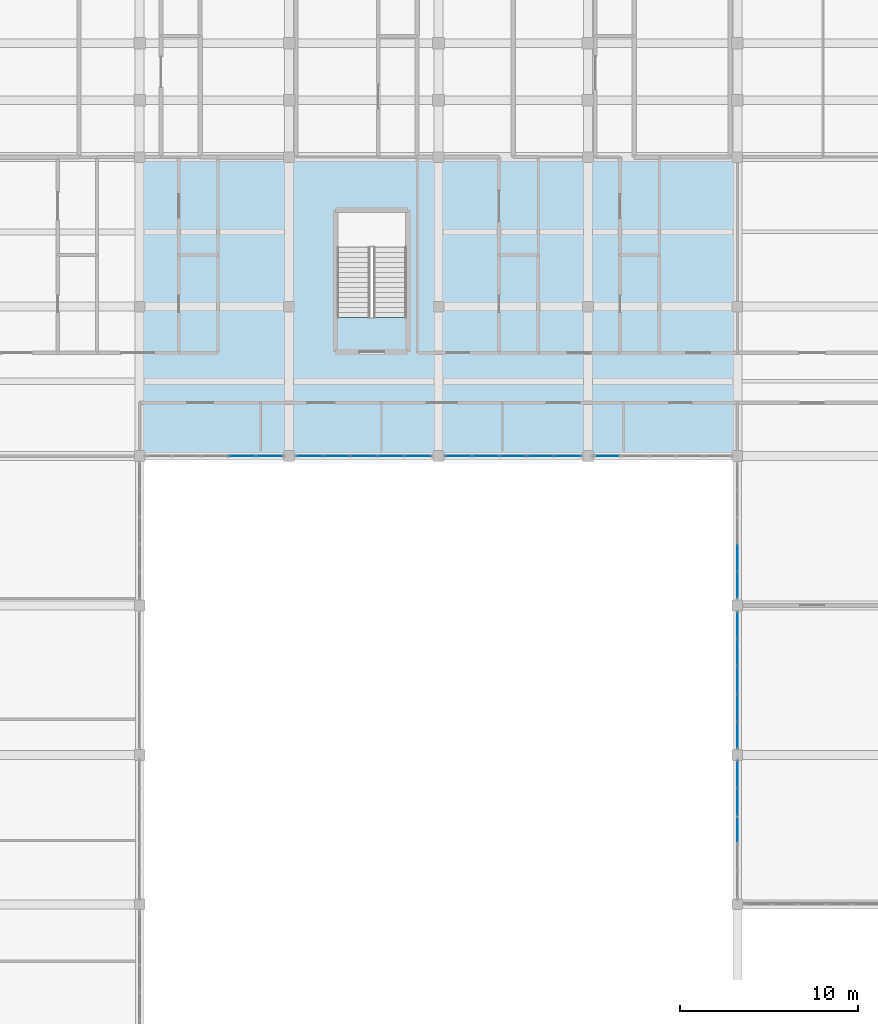
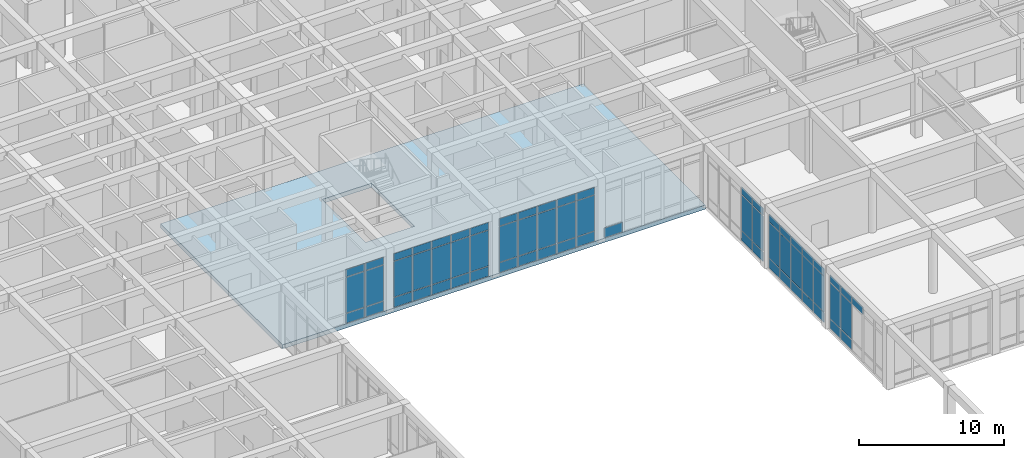
# One storey, part 43 of 89: 65 plates, 1 slab, 7 elements without a shape of their own.
"""IFC4 building model written with IfcOpenShell, lengths in metres."""

from ifc_helpers import new_model, si_unit, direction, frame, origin, origin_2d, place, context, subcontext, project, spatial, polyline, rectangle, outline, extrude, material, layer, layer_set, type_object, element, aggregate, save


model = new_model("IFC4")

# Units and contexts
model_context = context("Model", 3, precision=1e-05, world=origin(), true_north=direction((0.0, 1.0)))
body_context = subcontext(model_context, "Body", "Model", "MODEL_VIEW")
ifc_project = project(units=[si_unit("LENGTHUNIT", "METRE"), si_unit("AREAUNIT", "SQUARE_METRE"), si_unit("VOLUMEUNIT", "CUBIC_METRE"), si_unit("PLANEANGLEUNIT", "RADIAN"), si_unit("MASSUNIT", "GRAM", prefix="KILO")], contexts=[model_context])

# Site, building, storey
site_placement = place(None, origin())
site = spatial("IfcSite", under=ifc_project, at=site_placement, CompositionType="ELEMENT")
building_placement = place(site_placement, origin())
building = spatial("IfcBuilding", under=site, at=building_placement, Name="Varncliffe General Hospital", CompositionType="ELEMENT")
storey_placement = place(building_placement, frame((0.0, 0.0, 10.800048828125)))
storey = spatial("IfcBuildingStorey", under=building, at=storey_placement, Name="L02", CompositionType="ELEMENT", Elevation=10.800048828125)

# Curtain wall, plates
ifc_material_1 = material(Name="Triple low-E argon insulated vision glazing", Category="glass")
curtain_wall_type_1 = type_object("IfcCurtainWallType", Name="Unitised Glazed Curtain Wall CW70 (7724x4640)", PredefinedType="USERDEFINED", material=ifc_material_1)
curtain_wall_1_placement = place(storey_placement, origin())
curtain_wall_1 = element("IfcCurtainWall", 1, at=curtain_wall_1_placement, inside=storey, type_object=curtain_wall_type_1, Name="L02 Glazed Curtain Wall CW70-142", ObjectType="GLAZED CURTAIN WALL", PredefinedType="USERDEFINED")
ifc_layer_1 = layer(ifc_material_1, 0.0439453125)
ifc_layer_set_1 = layer_set([ifc_layer_1], Name="Triple low-E argon insulated vision glazing")
plate_type_1 = type_object("IfcPlateType", Name="Curtain Wall Glazing Panel CP12 (44mm)", PredefinedType="CURTAIN_PANEL", material=ifc_layer_set_1)
plate_1_placement = place(storey_placement, frame((58.800048828125, 67.129150390625, 0.059814453125), z_axis=(0.0, 0.0, 1.0), x_axis=(0.0, 1.0, 0.0)))
plate_1 = element("IfcPlate", 2, at=plate_1_placement, type_object=plate_type_1, Name="CW70 panel 1.1", PredefinedType="CURTAIN_PANEL", context=body_context, shape_type="SweptSolid", body=[
    extrude(rectangle(XDim=1.432373046875, YDim=0.0439453125, at=origin_2d()), origin(), (0.0, 0.0, 1.0), 0.81005859375),
])
plate_2_placement = place(storey_placement, frame((58.800048828125, 67.129150390625, 0.929931640625), z_axis=(0.0, 0.0, 1.0), x_axis=(0.0, 1.0, 0.0)))
plate_2 = element("IfcPlate", 3, at=plate_2_placement, type_object=plate_type_1, Name="CW70 panel 1.2", PredefinedType="CURTAIN_PANEL", context=body_context, shape_type="SweptSolid", body=[
    extrude(rectangle(XDim=1.432373046875, YDim=0.0439453125, at=origin_2d()), origin(), (0.0, 0.0, 1.0), 2.97998046875),
])
plate_3_placement = place(storey_placement, frame((58.800048828125, 67.129150390625, 3.9697265625), z_axis=(0.0, 0.0, 1.0), x_axis=(0.0, 1.0, 0.0)))
plate_3 = element("IfcPlate", 4, at=plate_3_placement, type_object=plate_type_1, Name="CW70 panel 1.3", PredefinedType="CURTAIN_PANEL", context=body_context, shape_type="SweptSolid", body=[
    extrude(rectangle(XDim=1.432373046875, YDim=0.0439453125, at=origin_2d()), origin(), (0.0, 0.0, 1.0), 0.610107421875),
])
plate_4_placement = place(storey_placement, frame((58.800048828125, 68.6552734375, 0.059814453125), z_axis=(0.0, 0.0, 1.0), x_axis=(0.0, 1.0, 0.0)))
plate_4 = element("IfcPlate", 5, at=plate_4_placement, type_object=plate_type_1, Name="CW70 panel 2.1", PredefinedType="CURTAIN_PANEL", context=body_context, shape_type="SweptSolid", body=[
    extrude(rectangle(XDim=1.4697265625, YDim=0.0439453125, at=origin_2d()), origin(), (0.0, 0.0, 1.0), 0.81005859375),
])
plate_5_placement = place(storey_placement, frame((58.800048828125, 68.6552734375, 0.929931640625), z_axis=(0.0, 0.0, 1.0), x_axis=(0.0, 1.0, 0.0)))
plate_5 = element("IfcPlate", 6, at=plate_5_placement, type_object=plate_type_1, Name="CW70 panel 2.2", PredefinedType="CURTAIN_PANEL", context=body_context, shape_type="SweptSolid", body=[
    extrude(rectangle(XDim=1.4697265625, YDim=0.0439453125, at=origin_2d()), origin(), (0.0, 0.0, 1.0), 2.97998046875),
])
plate_6_placement = place(storey_placement, frame((58.800048828125, 68.6552734375, 3.9697265625), z_axis=(0.0, 0.0, 1.0), x_axis=(0.0, 1.0, 0.0)))
plate_6 = element("IfcPlate", 7, at=plate_6_placement, type_object=plate_type_1, Name="CW70 panel 2.3", PredefinedType="CURTAIN_PANEL", context=body_context, shape_type="SweptSolid", body=[
    extrude(rectangle(XDim=1.4697265625, YDim=0.0439453125, at=origin_2d()), origin(), (0.0, 0.0, 1.0), 0.610107421875),
])
plate_7_placement = place(storey_placement, frame((58.800048828125, 70.199951171875, 0.059814453125), z_axis=(0.0, 0.0, 1.0), x_axis=(0.0, 1.0, 0.0)))
plate_7 = element("IfcPlate", 8, at=plate_7_placement, type_object=plate_type_1, Name="CW70 panel 3.1", PredefinedType="CURTAIN_PANEL", context=body_context, shape_type="SweptSolid", body=[
    extrude(rectangle(XDim=1.4697265625, YDim=0.0439453125, at=origin_2d()), origin(), (0.0, 0.0, 1.0), 0.81005859375),
])
plate_8_placement = place(storey_placement, frame((58.800048828125, 70.199951171875, 0.929931640625), z_axis=(0.0, 0.0, 1.0), x_axis=(0.0, 1.0, 0.0)))
plate_8 = element("IfcPlate", 9, at=plate_8_placement, type_object=plate_type_1, Name="CW70 panel 3.2", PredefinedType="CURTAIN_PANEL", context=body_context, shape_type="SweptSolid", body=[
    extrude(rectangle(XDim=1.4697265625, YDim=0.0439453125, at=origin_2d()), origin(), (0.0, 0.0, 1.0), 2.97998046875),
])
plate_9_placement = place(storey_placement, frame((58.800048828125, 70.199951171875, 3.9697265625), z_axis=(0.0, 0.0, 1.0), x_axis=(0.0, 1.0, 0.0)))
plate_9 = element("IfcPlate", 10, at=plate_9_placement, type_object=plate_type_1, Name="CW70 panel 3.3", PredefinedType="CURTAIN_PANEL", context=body_context, shape_type="SweptSolid", body=[
    extrude(rectangle(XDim=1.4697265625, YDim=0.0439453125, at=origin_2d()), origin(), (0.0, 0.0, 1.0), 0.610107421875),
])
plate_10_placement = place(storey_placement, frame((58.800048828125, 71.744873046875, 0.059814453125), z_axis=(0.0, 0.0, 1.0), x_axis=(0.0, 1.0, 0.0)))
plate_10 = element("IfcPlate", 11, at=plate_10_placement, type_object=plate_type_1, Name="CW70 panel 4.1", PredefinedType="CURTAIN_PANEL", context=body_context, shape_type="SweptSolid", body=[
    extrude(rectangle(XDim=1.4697265625, YDim=0.0439453125, at=origin_2d()), origin(), (0.0, 0.0, 1.0), 0.81005859375),
])
plate_11_placement = place(storey_placement, frame((58.800048828125, 71.744873046875, 0.929931640625), z_axis=(0.0, 0.0, 1.0), x_axis=(0.0, 1.0, 0.0)))
plate_11 = element("IfcPlate", 12, at=plate_11_placement, type_object=plate_type_1, Name="CW70 panel 4.2", PredefinedType="CURTAIN_PANEL", context=body_context, shape_type="SweptSolid", body=[
    extrude(rectangle(XDim=1.4697265625, YDim=0.0439453125, at=origin_2d()), origin(), (0.0, 0.0, 1.0), 2.97998046875),
])
plate_12_placement = place(storey_placement, frame((58.800048828125, 71.744873046875, 3.9697265625), z_axis=(0.0, 0.0, 1.0), x_axis=(0.0, 1.0, 0.0)))
plate_12 = element("IfcPlate", 13, at=plate_12_placement, type_object=plate_type_1, Name="CW70 panel 4.3", PredefinedType="CURTAIN_PANEL", context=body_context, shape_type="SweptSolid", body=[
    extrude(rectangle(XDim=1.4697265625, YDim=0.0439453125, at=origin_2d()), origin(), (0.0, 0.0, 1.0), 0.610107421875),
])
plate_13_placement = place(storey_placement, frame((58.800048828125, 73.270751953125, 0.059814453125), z_axis=(0.0, 0.0, 1.0), x_axis=(0.0, 1.0, 0.0)))
plate_13 = element("IfcPlate", 14, at=plate_13_placement, type_object=plate_type_1, Name="CW70 panel 5.1", PredefinedType="CURTAIN_PANEL", context=body_context, shape_type="SweptSolid", body=[
    extrude(rectangle(XDim=1.432373046875, YDim=0.0439453125, at=origin_2d()), origin(), (0.0, 0.0, 1.0), 0.81005859375),
])
plate_14_placement = place(storey_placement, frame((58.800048828125, 73.270751953125, 0.929931640625), z_axis=(0.0, 0.0, 1.0), x_axis=(0.0, 1.0, 0.0)))
plate_14 = element("IfcPlate", 15, at=plate_14_placement, type_object=plate_type_1, Name="CW70 panel 5.2", PredefinedType="CURTAIN_PANEL", context=body_context, shape_type="SweptSolid", body=[
    extrude(rectangle(XDim=1.432373046875, YDim=0.0439453125, at=origin_2d()), origin(), (0.0, 0.0, 1.0), 2.97998046875),
])
plate_15_placement = place(storey_placement, frame((58.800048828125, 73.270751953125, 3.9697265625), z_axis=(0.0, 0.0, 1.0), x_axis=(0.0, 1.0, 0.0)))
plate_15 = element("IfcPlate", 16, at=plate_15_placement, type_object=plate_type_1, Name="CW70 panel 5.3", PredefinedType="CURTAIN_PANEL", context=body_context, shape_type="SweptSolid", body=[
    extrude(rectangle(XDim=1.432373046875, YDim=0.0439453125, at=origin_2d()), origin(), (0.0, 0.0, 1.0), 0.610107421875),
])
aggregate(curtain_wall_1, [plate_1, plate_2, plate_3, plate_4, plate_5, plate_6, plate_7, plate_8, plate_9, plate_10, plate_11, plate_12, plate_13, plate_14, plate_15])

curtain_wall_2_placement = place(storey_placement, origin())
curtain_wall_2 = element("IfcCurtainWall", 17, at=curtain_wall_2_placement, inside=storey, type_object=curtain_wall_type_1, Name="L02 Glazed Curtain Wall CW70-145", ObjectType="GLAZED CURTAIN WALL", PredefinedType="USERDEFINED")
plate_16_placement = place(storey_placement, frame((49.270751953125, 82.800048828125, 0.059814453125), z_axis=(0.0, 0.0, 1.0), x_axis=(-1.0, 0.0, 0.0)))
plate_16 = element("IfcPlate", 18, at=plate_16_placement, type_object=plate_type_1, Name="CW70 panel 1.1", PredefinedType="CURTAIN_PANEL", context=body_context, shape_type="SweptSolid", body=[
    extrude(rectangle(XDim=1.432373046875, YDim=0.0439453125, at=origin_2d()), origin(), (0.0, 0.0, 1.0), 0.81005859375),
])
plate_17_placement = place(storey_placement, frame((49.270751953125, 82.800048828125, 0.929931640625), z_axis=(0.0, 0.0, 1.0), x_axis=(-1.0, 0.0, 0.0)))
plate_17 = element("IfcPlate", 19, at=plate_17_placement, type_object=plate_type_1, Name="CW70 panel 1.2", PredefinedType="CURTAIN_PANEL", context=body_context, shape_type="SweptSolid", body=[
    extrude(rectangle(XDim=1.432373046875, YDim=0.0439453125, at=origin_2d()), origin(), (0.0, 0.0, 1.0), 2.97998046875),
])
plate_18_placement = place(storey_placement, frame((49.270751953125, 82.800048828125, 3.9697265625), z_axis=(0.0, 0.0, 1.0), x_axis=(-1.0, 0.0, 0.0)))
plate_18 = element("IfcPlate", 20, at=plate_18_placement, type_object=plate_type_1, Name="CW70 panel 1.3", PredefinedType="CURTAIN_PANEL", context=body_context, shape_type="SweptSolid", body=[
    extrude(rectangle(XDim=1.432373046875, YDim=0.0439453125, at=origin_2d()), origin(), (0.0, 0.0, 1.0), 0.610107421875),
])
plate_19_placement = place(storey_placement, frame((47.744873046875, 82.800048828125, 0.059814453125), z_axis=(0.0, 0.0, 1.0), x_axis=(-1.0, 0.0, 0.0)))
plate_19 = element("IfcPlate", 21, at=plate_19_placement, type_object=plate_type_1, Name="CW70 panel 2.1", PredefinedType="CURTAIN_PANEL", context=body_context, shape_type="SweptSolid", body=[
    extrude(rectangle(XDim=1.4697265625, YDim=0.0439453125, at=origin_2d()), origin(), (0.0, 0.0, 1.0), 0.81005859375),
])
plate_20_placement = place(storey_placement, frame((47.744873046875, 82.800048828125, 0.929931640625), z_axis=(0.0, 0.0, 1.0), x_axis=(-1.0, 0.0, 0.0)))
plate_20 = element("IfcPlate", 22, at=plate_20_placement, type_object=plate_type_1, Name="CW70 panel 2.2", PredefinedType="CURTAIN_PANEL", context=body_context, shape_type="SweptSolid", body=[
    extrude(rectangle(XDim=1.4697265625, YDim=0.0439453125, at=origin_2d()), origin(), (0.0, 0.0, 1.0), 2.97998046875),
])
plate_21_placement = place(storey_placement, frame((47.744873046875, 82.800048828125, 3.9697265625), z_axis=(0.0, 0.0, 1.0), x_axis=(-1.0, 0.0, 0.0)))
plate_21 = element("IfcPlate", 23, at=plate_21_placement, type_object=plate_type_1, Name="CW70 panel 2.3", PredefinedType="CURTAIN_PANEL", context=body_context, shape_type="SweptSolid", body=[
    extrude(rectangle(XDim=1.4697265625, YDim=0.0439453125, at=origin_2d()), origin(), (0.0, 0.0, 1.0), 0.610107421875),
])
plate_22_placement = place(storey_placement, frame((46.199951171875, 82.800048828125, 0.059814453125), z_axis=(0.0, 0.0, 1.0), x_axis=(-1.0, 0.0, 0.0)))
plate_22 = element("IfcPlate", 24, at=plate_22_placement, type_object=plate_type_1, Name="CW70 panel 3.1", PredefinedType="CURTAIN_PANEL", context=body_context, shape_type="SweptSolid", body=[
    extrude(rectangle(XDim=1.4697265625, YDim=0.0439453125, at=origin_2d()), origin(), (0.0, 0.0, 1.0), 0.81005859375),
])
plate_23_placement = place(storey_placement, frame((46.199951171875, 82.800048828125, 0.929931640625), z_axis=(0.0, 0.0, 1.0), x_axis=(-1.0, 0.0, 0.0)))
plate_23 = element("IfcPlate", 25, at=plate_23_placement, type_object=plate_type_1, Name="CW70 panel 3.2", PredefinedType="CURTAIN_PANEL", context=body_context, shape_type="SweptSolid", body=[
    extrude(rectangle(XDim=1.4697265625, YDim=0.0439453125, at=origin_2d()), origin(), (0.0, 0.0, 1.0), 2.97998046875),
])
plate_24_placement = place(storey_placement, frame((46.199951171875, 82.800048828125, 3.9697265625), z_axis=(0.0, 0.0, 1.0), x_axis=(-1.0, 0.0, 0.0)))
plate_24 = element("IfcPlate", 26, at=plate_24_placement, type_object=plate_type_1, Name="CW70 panel 3.3", PredefinedType="CURTAIN_PANEL", context=body_context, shape_type="SweptSolid", body=[
    extrude(rectangle(XDim=1.4697265625, YDim=0.0439453125, at=origin_2d()), origin(), (0.0, 0.0, 1.0), 0.610107421875),
])
plate_25_placement = place(storey_placement, frame((44.6552734375, 82.800048828125, 0.059814453125), z_axis=(0.0, 0.0, 1.0), x_axis=(-1.0, 0.0, 0.0)))
plate_25 = element("IfcPlate", 27, at=plate_25_placement, type_object=plate_type_1, Name="CW70 panel 4.1", PredefinedType="CURTAIN_PANEL", context=body_context, shape_type="SweptSolid", body=[
    extrude(rectangle(XDim=1.4697265625, YDim=0.0439453125, at=origin_2d()), origin(), (0.0, 0.0, 1.0), 0.81005859375),
])
plate_26_placement = place(storey_placement, frame((44.6552734375, 82.800048828125, 0.929931640625), z_axis=(0.0, 0.0, 1.0), x_axis=(-1.0, 0.0, 0.0)))
plate_26 = element("IfcPlate", 28, at=plate_26_placement, type_object=plate_type_1, Name="CW70 panel 4.2", PredefinedType="CURTAIN_PANEL", context=body_context, shape_type="SweptSolid", body=[
    extrude(rectangle(XDim=1.4697265625, YDim=0.0439453125, at=origin_2d()), origin(), (0.0, 0.0, 1.0), 2.97998046875),
])
plate_27_placement = place(storey_placement, frame((44.6552734375, 82.800048828125, 3.9697265625), z_axis=(0.0, 0.0, 1.0), x_axis=(-1.0, 0.0, 0.0)))
plate_27 = element("IfcPlate", 29, at=plate_27_placement, type_object=plate_type_1, Name="CW70 panel 4.3", PredefinedType="CURTAIN_PANEL", context=body_context, shape_type="SweptSolid", body=[
    extrude(rectangle(XDim=1.4697265625, YDim=0.0439453125, at=origin_2d()), origin(), (0.0, 0.0, 1.0), 0.610107421875),
])
plate_28_placement = place(storey_placement, frame((43.129150390625, 82.800048828125, 0.059814453125), z_axis=(0.0, 0.0, 1.0), x_axis=(-1.0, 0.0, 0.0)))
plate_28 = element("IfcPlate", 30, at=plate_28_placement, type_object=plate_type_1, Name="CW70 panel 5.1", PredefinedType="CURTAIN_PANEL", context=body_context, shape_type="SweptSolid", body=[
    extrude(rectangle(XDim=1.432373046875, YDim=0.0439453125, at=origin_2d()), origin(), (0.0, 0.0, 1.0), 0.81005859375),
])
plate_29_placement = place(storey_placement, frame((43.129150390625, 82.800048828125, 0.929931640625), z_axis=(0.0, 0.0, 1.0), x_axis=(-1.0, 0.0, 0.0)))
plate_29 = element("IfcPlate", 31, at=plate_29_placement, type_object=plate_type_1, Name="CW70 panel 5.2", PredefinedType="CURTAIN_PANEL", context=body_context, shape_type="SweptSolid", body=[
    extrude(rectangle(XDim=1.432373046875, YDim=0.0439453125, at=origin_2d()), origin(), (0.0, 0.0, 1.0), 2.97998046875),
])
plate_30_placement = place(storey_placement, frame((43.129150390625, 82.800048828125, 3.9697265625), z_axis=(0.0, 0.0, 1.0), x_axis=(-1.0, 0.0, 0.0)))
plate_30 = element("IfcPlate", 32, at=plate_30_placement, type_object=plate_type_1, Name="CW70 panel 5.3", PredefinedType="CURTAIN_PANEL", context=body_context, shape_type="SweptSolid", body=[
    extrude(rectangle(XDim=1.432373046875, YDim=0.0439453125, at=origin_2d()), origin(), (0.0, 0.0, 1.0), 0.610107421875),
])
aggregate(curtain_wall_2, [plate_16, plate_17, plate_18, plate_19, plate_20, plate_21, plate_22, plate_23, plate_24, plate_25, plate_26, plate_27, plate_28, plate_29, plate_30])

curtain_wall_type_2 = type_object("IfcCurtainWallType", Name="Unitised Glazed Curtain Wall CW85 (7804x4640)", PredefinedType="USERDEFINED", material=ifc_material_1)
curtain_wall_3_placement = place(storey_placement, origin())
curtain_wall_3 = element("IfcCurtainWall", 33, at=curtain_wall_3_placement, inside=storey, type_object=curtain_wall_type_2, Name="L02 Glazed Curtain Wall CW85-141", ObjectType="GLAZED CURTAIN WALL", PredefinedType="USERDEFINED")
ifc_layer_2 = layer(ifc_material_1, 0.035888671875)
ifc_layer_set_2 = layer_set([ifc_layer_2], Name="Triple low-E argon insulated vision glazing")
plate_type_2 = type_object("IfcPlateType", Name="Curtain Wall Glazing Panel CP27 (36mm)", PredefinedType="CURTAIN_PANEL", material=ifc_layer_set_2)
plate_31_placement = place(storey_placement, frame((58.800048828125, 61.800048828125, 3.972412109375), z_axis=(0.0, 0.0, 1.0), x_axis=(0.0, 1.0, 0.0)))
plate_31 = element("IfcPlate", 34, at=plate_31_placement, type_object=plate_type_2, Name="CW85 panel 3.3", PredefinedType="CURTAIN_PANEL", context=body_context, shape_type="SweptSolid", body=[
    extrude(rectangle(XDim=1.48583984375, YDim=0.035888671875, at=origin_2d()), origin(), (0.0, 0.0, 1.0), 0.6025390625),
])
plate_32_placement = place(storey_placement, frame((58.800048828125, 63.36083984375, 0.06494140625), z_axis=(0.0, 0.0, 1.0), x_axis=(0.0, 1.0, 0.0)))
plate_32 = element("IfcPlate", 35, at=plate_32_placement, type_object=plate_type_2, Name="CW85 panel 4.1", PredefinedType="CURTAIN_PANEL", context=body_context, shape_type="SweptSolid", body=[
    extrude(rectangle(XDim=1.48583984375, YDim=0.035888671875, at=origin_2d()), origin(), (0.0, 0.0, 1.0), 0.802490234375),
])
plate_33_placement = place(storey_placement, frame((58.800048828125, 63.36083984375, 0.932373046875), z_axis=(0.0, 0.0, 1.0), x_axis=(0.0, 1.0, 0.0)))
plate_33 = element("IfcPlate", 36, at=plate_33_placement, type_object=plate_type_2, Name="CW85 panel 4.2", PredefinedType="CURTAIN_PANEL", context=body_context, shape_type="SweptSolid", body=[
    extrude(rectangle(XDim=1.48583984375, YDim=0.035888671875, at=origin_2d()), origin(), (0.0, 0.0, 1.0), 2.97509765625),
])
plate_34_placement = place(storey_placement, frame((58.800048828125, 63.36083984375, 3.972412109375), z_axis=(0.0, 0.0, 1.0), x_axis=(0.0, 1.0, 0.0)))
plate_34 = element("IfcPlate", 37, at=plate_34_placement, type_object=plate_type_2, Name="CW85 panel 4.3", PredefinedType="CURTAIN_PANEL", context=body_context, shape_type="SweptSolid", body=[
    extrude(rectangle(XDim=1.48583984375, YDim=0.035888671875, at=origin_2d()), origin(), (0.0, 0.0, 1.0), 0.6025390625),
])
plate_35_placement = place(storey_placement, frame((58.800048828125, 64.90283203125, 0.06494140625), z_axis=(0.0, 0.0, 1.0), x_axis=(0.0, 1.0, 0.0)))
plate_35 = element("IfcPlate", 38, at=plate_35_placement, type_object=plate_type_2, Name="CW85 panel 5.1", PredefinedType="CURTAIN_PANEL", context=body_context, shape_type="SweptSolid", body=[
    extrude(rectangle(XDim=1.4482421875, YDim=0.035888671875, at=origin_2d()), origin(), (0.0, 0.0, 1.0), 0.802490234375),
])
plate_36_placement = place(storey_placement, frame((58.800048828125, 64.90283203125, 0.932373046875), z_axis=(0.0, 0.0, 1.0), x_axis=(0.0, 1.0, 0.0)))
plate_36 = element("IfcPlate", 39, at=plate_36_placement, type_object=plate_type_2, Name="CW85 panel 5.2", PredefinedType="CURTAIN_PANEL", context=body_context, shape_type="SweptSolid", body=[
    extrude(rectangle(XDim=1.4482421875, YDim=0.035888671875, at=origin_2d()), origin(), (0.0, 0.0, 1.0), 2.97509765625),
])
plate_37_placement = place(storey_placement, frame((58.800048828125, 64.90283203125, 3.972412109375), z_axis=(0.0, 0.0, 1.0), x_axis=(0.0, 1.0, 0.0)))
plate_37 = element("IfcPlate", 40, at=plate_37_placement, type_object=plate_type_2, Name="CW85 panel 5.3", PredefinedType="CURTAIN_PANEL", context=body_context, shape_type="SweptSolid", body=[
    extrude(rectangle(XDim=1.4482421875, YDim=0.035888671875, at=origin_2d()), origin(), (0.0, 0.0, 1.0), 0.6025390625),
])
aggregate(curtain_wall_3, [plate_31, plate_32, plate_33, plate_34, plate_35, plate_36, plate_37])

# Curtain wall, plate
curtain_wall_4_placement = place(storey_placement, origin())
curtain_wall_4 = element("IfcCurtainWall", 41, at=curtain_wall_4_placement, inside=storey, type_object=curtain_wall_type_2, Name="L02 Glazed Curtain Wall CW85-144", ObjectType="GLAZED CURTAIN WALL", PredefinedType="USERDEFINED")
plate_38_placement = place(storey_placement, frame((51.4970703125, 82.800048828125, 0.06494140625), z_axis=(0.0, 0.0, 1.0), x_axis=(-1.0, 0.0, 0.0)))
plate_38 = element("IfcPlate", 42, at=plate_38_placement, type_object=plate_type_2, Name="CW85 panel 5.1", PredefinedType="CURTAIN_PANEL", context=body_context, shape_type="SweptSolid", body=[
    extrude(rectangle(XDim=1.4482421875, YDim=0.035888671875, at=origin_2d()), origin(), (0.0, 0.0, 1.0), 0.802490234375),
])
aggregate(curtain_wall_4, [plate_38])

# Curtain wall, plates
curtain_wall_5_placement = place(storey_placement, origin())
curtain_wall_5 = element("IfcCurtainWall", 43, at=curtain_wall_5_placement, inside=storey, type_object=curtain_wall_type_2, Name="L02 Glazed Curtain Wall CW85-147", ObjectType="GLAZED CURTAIN WALL", PredefinedType="USERDEFINED")
plate_39_placement = place(storey_placement, frame((32.5029296875, 82.800048828125, 0.06494140625), z_axis=(0.0, 0.0, 1.0), x_axis=(-1.0, 0.0, 0.0)))
plate_39 = element("IfcPlate", 44, at=plate_39_placement, type_object=plate_type_2, Name="CW85 panel 1.1", PredefinedType="CURTAIN_PANEL", context=body_context, shape_type="SweptSolid", body=[
    extrude(rectangle(XDim=1.4482421875, YDim=0.035888671875, at=origin_2d()), origin(), (0.0, 0.0, 1.0), 0.802490234375),
])
plate_40_placement = place(storey_placement, frame((32.5029296875, 82.800048828125, 0.932373046875), z_axis=(0.0, 0.0, 1.0), x_axis=(-1.0, 0.0, 0.0)))
plate_40 = element("IfcPlate", 45, at=plate_40_placement, type_object=plate_type_2, Name="CW85 panel 1.2", PredefinedType="CURTAIN_PANEL", context=body_context, shape_type="SweptSolid", body=[
    extrude(rectangle(XDim=1.4482421875, YDim=0.035888671875, at=origin_2d()), origin(), (0.0, 0.0, 1.0), 2.97509765625),
])
plate_41_placement = place(storey_placement, frame((32.5029296875, 82.800048828125, 3.972412109375), z_axis=(0.0, 0.0, 1.0), x_axis=(-1.0, 0.0, 0.0)))
plate_41 = element("IfcPlate", 46, at=plate_41_placement, type_object=plate_type_2, Name="CW85 panel 1.3", PredefinedType="CURTAIN_PANEL", context=body_context, shape_type="SweptSolid", body=[
    extrude(rectangle(XDim=1.4482421875, YDim=0.035888671875, at=origin_2d()), origin(), (0.0, 0.0, 1.0), 0.6025390625),
])
plate_42_placement = place(storey_placement, frame((30.960693359375, 82.800048828125, 0.06494140625), z_axis=(0.0, 0.0, 1.0), x_axis=(-1.0, 0.0, 0.0)))
plate_42 = element("IfcPlate", 47, at=plate_42_placement, type_object=plate_type_2, Name="CW85 panel 2.1", PredefinedType="CURTAIN_PANEL", context=body_context, shape_type="SweptSolid", body=[
    extrude(rectangle(XDim=1.48583984375, YDim=0.035888671875, at=origin_2d()), origin(), (0.0, 0.0, 1.0), 0.802490234375),
])
plate_43_placement = place(storey_placement, frame((30.960693359375, 82.800048828125, 0.932373046875), z_axis=(0.0, 0.0, 1.0), x_axis=(-1.0, 0.0, 0.0)))
plate_43 = element("IfcPlate", 48, at=plate_43_placement, type_object=plate_type_2, Name="CW85 panel 2.2", PredefinedType="CURTAIN_PANEL", context=body_context, shape_type="SweptSolid", body=[
    extrude(rectangle(XDim=1.48583984375, YDim=0.035888671875, at=origin_2d()), origin(), (0.0, 0.0, 1.0), 2.97509765625),
])
plate_44_placement = place(storey_placement, frame((30.960693359375, 82.800048828125, 3.972412109375), z_axis=(0.0, 0.0, 1.0), x_axis=(-1.0, 0.0, 0.0)))
plate_44 = element("IfcPlate", 49, at=plate_44_placement, type_object=plate_type_2, Name="CW85 panel 2.3", PredefinedType="CURTAIN_PANEL", context=body_context, shape_type="SweptSolid", body=[
    extrude(rectangle(XDim=1.48583984375, YDim=0.035888671875, at=origin_2d()), origin(), (0.0, 0.0, 1.0), 0.6025390625),
])
aggregate(curtain_wall_5, [plate_39, plate_40, plate_41, plate_42, plate_43, plate_44])

curtain_wall_type_3 = type_object("IfcCurtainWallType", Name="Unitised Glazed Curtain Wall CW27 (7644x4640)", PredefinedType="USERDEFINED", material=ifc_material_1)
curtain_wall_6_placement = place(storey_placement, origin())
curtain_wall_6 = element("IfcCurtainWall", 50, at=curtain_wall_6_placement, inside=storey, type_object=curtain_wall_type_3, Name="L02 Glazed Curtain Wall CW27-143", ObjectType="GLAZED CURTAIN WALL", PredefinedType="USERDEFINED")
ifc_layer_3 = layer(ifc_material_1, 0.028076171875)
ifc_layer_set_3 = layer_set([ifc_layer_3], Name="Triple low-E argon insulated vision glazing")
plate_type_3 = type_object("IfcPlateType", Name="Curtain Wall Glazing Panel CP48 (28mm)", PredefinedType="CURTAIN_PANEL", material=ifc_layer_set_3)
plate_45_placement = place(storey_placement, frame((58.800048828125, 75.55859375, 0.059814453125), z_axis=(0.0, 0.0, 1.0), x_axis=(0.0, 1.0, 0.0)))
plate_45 = element("IfcPlate", 51, at=plate_45_placement, type_object=plate_type_3, Name="CW27 panel 1.1", PredefinedType="CURTAIN_PANEL", context=body_context, shape_type="SweptSolid", body=[
    extrude(rectangle(XDim=1.431396484375, YDim=0.028076171875, at=origin_2d()), origin(), (0.0, 0.0, 1.0), 0.81005859375),
])
plate_46_placement = place(storey_placement, frame((58.800048828125, 75.55859375, 0.929931640625), z_axis=(0.0, 0.0, 1.0), x_axis=(0.0, 1.0, 0.0)))
plate_46 = element("IfcPlate", 52, at=plate_46_placement, type_object=plate_type_3, Name="CW27 panel 1.2", PredefinedType="CURTAIN_PANEL", context=body_context, shape_type="SweptSolid", body=[
    extrude(rectangle(XDim=1.431396484375, YDim=0.028076171875, at=origin_2d()), origin(), (0.0, 0.0, 1.0), 2.97998046875),
])
plate_47_placement = place(storey_placement, frame((58.800048828125, 75.55859375, 3.9697265625), z_axis=(0.0, 0.0, 1.0), x_axis=(0.0, 1.0, 0.0)))
plate_47 = element("IfcPlate", 53, at=plate_47_placement, type_object=plate_type_3, Name="CW27 panel 1.3", PredefinedType="CURTAIN_PANEL", context=body_context, shape_type="SweptSolid", body=[
    extrude(rectangle(XDim=1.431396484375, YDim=0.028076171875, at=origin_2d()), origin(), (0.0, 0.0, 1.0), 0.610107421875),
])
plate_48_placement = place(storey_placement, frame((58.800048828125, 77.0712890625, 0.059814453125), z_axis=(0.0, 0.0, 1.0), x_axis=(0.0, 1.0, 0.0)))
plate_48 = element("IfcPlate", 54, at=plate_48_placement, type_object=plate_type_3, Name="CW27 panel 2.1", PredefinedType="CURTAIN_PANEL", context=body_context, shape_type="SweptSolid", body=[
    extrude(rectangle(XDim=1.4638671875, YDim=0.028076171875, at=origin_2d()), origin(), (0.0, 0.0, 1.0), 0.81005859375),
])
plate_49_placement = place(storey_placement, frame((58.800048828125, 77.0712890625, 0.929931640625), z_axis=(0.0, 0.0, 1.0), x_axis=(0.0, 1.0, 0.0)))
plate_49 = element("IfcPlate", 55, at=plate_49_placement, type_object=plate_type_3, Name="CW27 panel 2.2", PredefinedType="CURTAIN_PANEL", context=body_context, shape_type="SweptSolid", body=[
    extrude(rectangle(XDim=1.4638671875, YDim=0.028076171875, at=origin_2d()), origin(), (0.0, 0.0, 1.0), 2.97998046875),
])
plate_50_placement = place(storey_placement, frame((58.800048828125, 77.0712890625, 3.9697265625), z_axis=(0.0, 0.0, 1.0), x_axis=(0.0, 1.0, 0.0)))
plate_50 = element("IfcPlate", 56, at=plate_50_placement, type_object=plate_type_3, Name="CW27 panel 2.3", PredefinedType="CURTAIN_PANEL", context=body_context, shape_type="SweptSolid", body=[
    extrude(rectangle(XDim=1.4638671875, YDim=0.028076171875, at=origin_2d()), origin(), (0.0, 0.0, 1.0), 0.610107421875),
])
aggregate(curtain_wall_6, [plate_45, plate_46, plate_47, plate_48, plate_49, plate_50])

curtain_wall_7_placement = place(storey_placement, origin())
curtain_wall_7 = element("IfcCurtainWall", 57, at=curtain_wall_7_placement, inside=storey, type_object=curtain_wall_type_3, Name="L02 Glazed Curtain Wall CW27-146", ObjectType="GLAZED CURTAIN WALL", PredefinedType="USERDEFINED")
plate_51_placement = place(storey_placement, frame((40.84130859375, 82.800048828125, 0.059814453125), z_axis=(0.0, 0.0, 1.0), x_axis=(-1.0, 0.0, 0.0)))
plate_51 = element("IfcPlate", 58, at=plate_51_placement, type_object=plate_type_3, Name="CW27 panel 1.1", PredefinedType="CURTAIN_PANEL", context=body_context, shape_type="SweptSolid", body=[
    extrude(rectangle(XDim=1.431396484375, YDim=0.028076171875, at=origin_2d()), origin(), (0.0, 0.0, 1.0), 0.81005859375),
])
plate_52_placement = place(storey_placement, frame((40.84130859375, 82.800048828125, 0.929931640625), z_axis=(0.0, 0.0, 1.0), x_axis=(-1.0, 0.0, 0.0)))
plate_52 = element("IfcPlate", 59, at=plate_52_placement, type_object=plate_type_3, Name="CW27 panel 1.2", PredefinedType="CURTAIN_PANEL", context=body_context, shape_type="SweptSolid", body=[
    extrude(rectangle(XDim=1.431396484375, YDim=0.028076171875, at=origin_2d()), origin(), (0.0, 0.0, 1.0), 2.97998046875),
])
plate_53_placement = place(storey_placement, frame((40.84130859375, 82.800048828125, 3.9697265625), z_axis=(0.0, 0.0, 1.0), x_axis=(-1.0, 0.0, 0.0)))
plate_53 = element("IfcPlate", 60, at=plate_53_placement, type_object=plate_type_3, Name="CW27 panel 1.3", PredefinedType="CURTAIN_PANEL", context=body_context, shape_type="SweptSolid", body=[
    extrude(rectangle(XDim=1.431396484375, YDim=0.028076171875, at=origin_2d()), origin(), (0.0, 0.0, 1.0), 0.610107421875),
])
plate_54_placement = place(storey_placement, frame((39.328857421875, 82.800048828125, 0.059814453125), z_axis=(0.0, 0.0, 1.0), x_axis=(-1.0, 0.0, 0.0)))
plate_54 = element("IfcPlate", 61, at=plate_54_placement, type_object=plate_type_3, Name="CW27 panel 2.1", PredefinedType="CURTAIN_PANEL", context=body_context, shape_type="SweptSolid", body=[
    extrude(rectangle(XDim=1.4638671875, YDim=0.028076171875, at=origin_2d()), origin(), (0.0, 0.0, 1.0), 0.81005859375),
])
plate_55_placement = place(storey_placement, frame((39.328857421875, 82.800048828125, 0.929931640625), z_axis=(0.0, 0.0, 1.0), x_axis=(-1.0, 0.0, 0.0)))
plate_55 = element("IfcPlate", 62, at=plate_55_placement, type_object=plate_type_3, Name="CW27 panel 2.2", PredefinedType="CURTAIN_PANEL", context=body_context, shape_type="SweptSolid", body=[
    extrude(rectangle(XDim=1.4638671875, YDim=0.028076171875, at=origin_2d()), origin(), (0.0, 0.0, 1.0), 2.97998046875),
])
plate_56_placement = place(storey_placement, frame((39.328857421875, 82.800048828125, 3.9697265625), z_axis=(0.0, 0.0, 1.0), x_axis=(-1.0, 0.0, 0.0)))
plate_56 = element("IfcPlate", 63, at=plate_56_placement, type_object=plate_type_3, Name="CW27 panel 2.3", PredefinedType="CURTAIN_PANEL", context=body_context, shape_type="SweptSolid", body=[
    extrude(rectangle(XDim=1.4638671875, YDim=0.028076171875, at=origin_2d()), origin(), (0.0, 0.0, 1.0), 0.610107421875),
])
plate_57_placement = place(storey_placement, frame((37.800048828125, 82.800048828125, 0.059814453125), z_axis=(0.0, 0.0, 1.0), x_axis=(-1.0, 0.0, 0.0)))
plate_57 = element("IfcPlate", 64, at=plate_57_placement, type_object=plate_type_3, Name="CW27 panel 3.1", PredefinedType="CURTAIN_PANEL", context=body_context, shape_type="SweptSolid", body=[
    extrude(rectangle(XDim=1.4638671875, YDim=0.028076171875, at=origin_2d()), origin(), (0.0, 0.0, 1.0), 0.81005859375),
])
plate_58_placement = place(storey_placement, frame((37.800048828125, 82.800048828125, 0.929931640625), z_axis=(0.0, 0.0, 1.0), x_axis=(-1.0, 0.0, 0.0)))
plate_58 = element("IfcPlate", 65, at=plate_58_placement, type_object=plate_type_3, Name="CW27 panel 3.2", PredefinedType="CURTAIN_PANEL", context=body_context, shape_type="SweptSolid", body=[
    extrude(rectangle(XDim=1.4638671875, YDim=0.028076171875, at=origin_2d()), origin(), (0.0, 0.0, 1.0), 2.97998046875),
])
plate_59_placement = place(storey_placement, frame((37.800048828125, 82.800048828125, 3.9697265625), z_axis=(0.0, 0.0, 1.0), x_axis=(-1.0, 0.0, 0.0)))
plate_59 = element("IfcPlate", 66, at=plate_59_placement, type_object=plate_type_3, Name="CW27 panel 3.3", PredefinedType="CURTAIN_PANEL", context=body_context, shape_type="SweptSolid", body=[
    extrude(rectangle(XDim=1.4638671875, YDim=0.028076171875, at=origin_2d()), origin(), (0.0, 0.0, 1.0), 0.610107421875),
])
plate_60_placement = place(storey_placement, frame((36.271240234375, 82.800048828125, 0.059814453125), z_axis=(0.0, 0.0, 1.0), x_axis=(-1.0, 0.0, 0.0)))
plate_60 = element("IfcPlate", 67, at=plate_60_placement, type_object=plate_type_3, Name="CW27 panel 4.1", PredefinedType="CURTAIN_PANEL", context=body_context, shape_type="SweptSolid", body=[
    extrude(rectangle(XDim=1.4638671875, YDim=0.028076171875, at=origin_2d()), origin(), (0.0, 0.0, 1.0), 0.81005859375),
])
plate_61_placement = place(storey_placement, frame((36.271240234375, 82.800048828125, 0.929931640625), z_axis=(0.0, 0.0, 1.0), x_axis=(-1.0, 0.0, 0.0)))
plate_61 = element("IfcPlate", 68, at=plate_61_placement, type_object=plate_type_3, Name="CW27 panel 4.2", PredefinedType="CURTAIN_PANEL", context=body_context, shape_type="SweptSolid", body=[
    extrude(rectangle(XDim=1.4638671875, YDim=0.028076171875, at=origin_2d()), origin(), (0.0, 0.0, 1.0), 2.97998046875),
])
plate_62_placement = place(storey_placement, frame((36.271240234375, 82.800048828125, 3.9697265625), z_axis=(0.0, 0.0, 1.0), x_axis=(-1.0, 0.0, 0.0)))
plate_62 = element("IfcPlate", 69, at=plate_62_placement, type_object=plate_type_3, Name="CW27 panel 4.3", PredefinedType="CURTAIN_PANEL", context=body_context, shape_type="SweptSolid", body=[
    extrude(rectangle(XDim=1.4638671875, YDim=0.028076171875, at=origin_2d()), origin(), (0.0, 0.0, 1.0), 0.610107421875),
])
plate_63_placement = place(storey_placement, frame((34.758544921875, 82.800048828125, 0.059814453125), z_axis=(0.0, 0.0, 1.0), x_axis=(-1.0, 0.0, 0.0)))
plate_63 = element("IfcPlate", 70, at=plate_63_placement, type_object=plate_type_3, Name="CW27 panel 5.1", PredefinedType="CURTAIN_PANEL", context=body_context, shape_type="SweptSolid", body=[
    extrude(rectangle(XDim=1.431396484375, YDim=0.028076171875, at=origin_2d()), origin(), (0.0, 0.0, 1.0), 0.81005859375),
])
plate_64_placement = place(storey_placement, frame((34.758544921875, 82.800048828125, 0.929931640625), z_axis=(0.0, 0.0, 1.0), x_axis=(-1.0, 0.0, 0.0)))
plate_64 = element("IfcPlate", 71, at=plate_64_placement, type_object=plate_type_3, Name="CW27 panel 5.2", PredefinedType="CURTAIN_PANEL", context=body_context, shape_type="SweptSolid", body=[
    extrude(rectangle(XDim=1.431396484375, YDim=0.028076171875, at=origin_2d()), origin(), (0.0, 0.0, 1.0), 2.97998046875),
])
plate_65_placement = place(storey_placement, frame((34.758544921875, 82.800048828125, 3.9697265625), z_axis=(0.0, 0.0, 1.0), x_axis=(-1.0, 0.0, 0.0)))
plate_65 = element("IfcPlate", 72, at=plate_65_placement, type_object=plate_type_3, Name="CW27 panel 5.3", PredefinedType="CURTAIN_PANEL", context=body_context, shape_type="SweptSolid", body=[
    extrude(rectangle(XDim=1.431396484375, YDim=0.028076171875, at=origin_2d()), origin(), (0.0, 0.0, 1.0), 0.610107421875),
])
aggregate(curtain_wall_7, [plate_51, plate_52, plate_53, plate_54, plate_55, plate_56, plate_57, plate_58, plate_59, plate_60, plate_61, plate_62, plate_63, plate_64, plate_65])

# Slab
ifc_material_2 = material(Name="Concrete C35/45 (CSA A23.1 35 MPa)", Category="concrete")
ifc_layer_4 = layer(ifc_material_2, 0.35009765625)
ifc_layer_set_4 = layer_set([ifc_layer_4], Name="Concrete C35/45 (CSA A23.1 35 MPa)")
slab_type = type_object("IfcSlabType", Name="Floor Slab SL59 (Int 350mm)", PredefinedType="FLOOR", material=ifc_layer_set_4)
slab_placement = place(storey_placement, frame((0.0, 0.0, -0.35009765625)))
element("IfcSlab", 73, at=slab_placement, inside=storey, type_object=slab_type, Name="L02 V3 Structural Floor Slab 2", PredefinedType="FLOOR", context=body_context, shape_type="SweptSolid", body=[
    extrude(outline(polyline([(25.199951171875, 99.60009765625), (58.800048828125, 99.60009765625), (58.800048828125, 82.800048828125), (25.199951171875, 82.800048828125), (25.199951171875, 99.60009765625)]), holes=[polyline([(40.199951171875, 90.60009765625), (40.199951171875, 96.550048828125), (36.300048828125, 96.550048828125), (36.300048828125, 90.60009765625), (40.199951171875, 90.60009765625)])]), origin(), (0.0, 0.0, 1.0), 0.35009765625),
])

save(model, "model.ifc")
